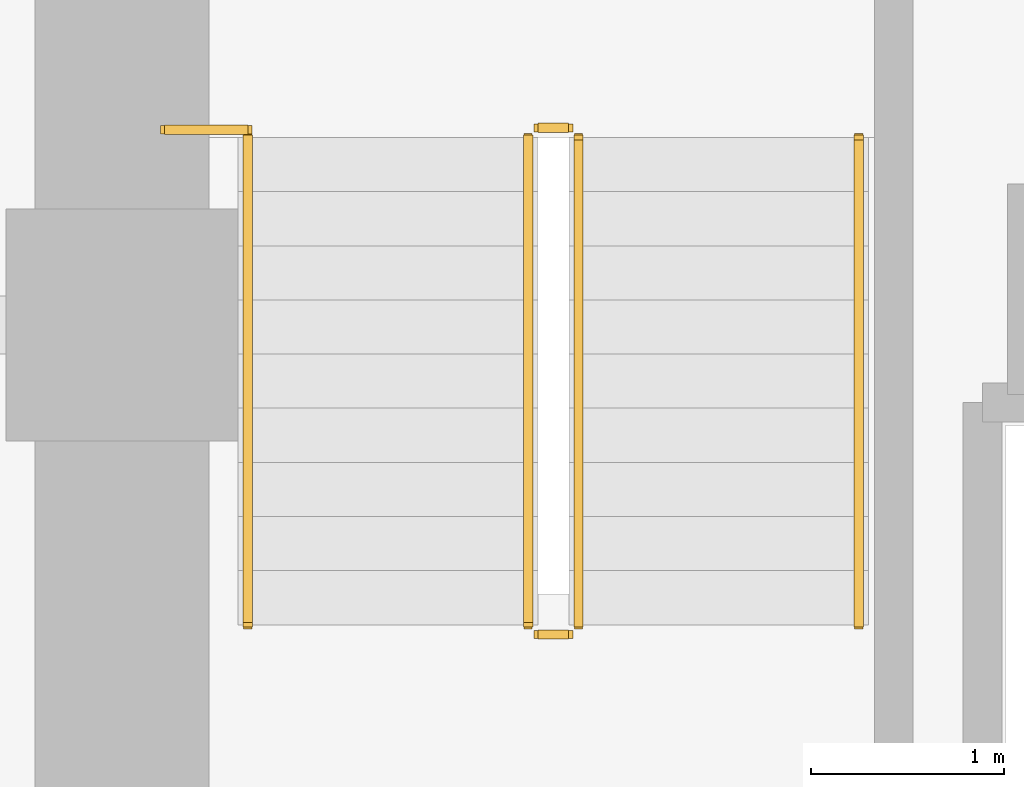
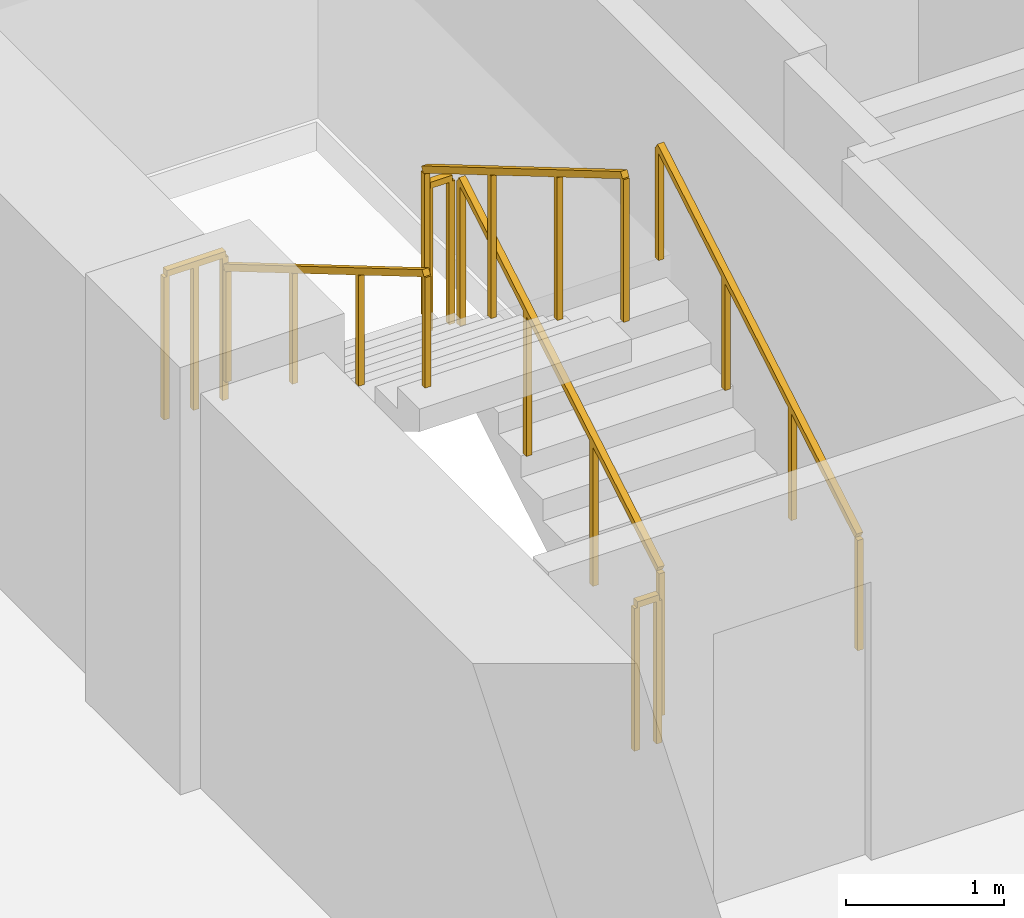
# One storey, part 24 of 27: 7 railings.
"""IFC4 building model written with IfcOpenShell, lengths in metres."""

from ifc_helpers import new_model, si_unit, direction, frame, origin, origin_2d, place, context, subcontext, project, spatial, rectangle, extrude, material, type_object, element, save


model = new_model("IFC4")

# Units and contexts
model_context = context("Model", 3, precision=1e-05, world=origin(), true_north=direction((0.0, 1.0)))
body_context = subcontext(model_context, "Body", "Model", "MODEL_VIEW")
ifc_project = project(units=[si_unit("LENGTHUNIT", "METRE"), si_unit("AREAUNIT", "SQUARE_METRE"), si_unit("VOLUMEUNIT", "CUBIC_METRE"), si_unit("PLANEANGLEUNIT", "RADIAN"), si_unit("MASSUNIT", "GRAM", prefix="KILO")], contexts=[model_context])

# Site, building, storey
site_placement = place(None, origin())
site = spatial("IfcSite", under=ifc_project, at=site_placement, CompositionType="ELEMENT")
building_placement = place(site_placement, origin())
building = spatial("IfcBuilding", under=site, at=building_placement, Name="Zarnakvel Exchange Tower", CompositionType="ELEMENT")
storey_placement = place(building_placement, frame((0.0, 0.0, 76.89990234375)))
storey = spatial("IfcBuildingStorey", under=building, at=storey_placement, Name="L21", CompositionType="ELEMENT", Elevation=76.89990234375)

# Railings
ifc_material_1 = material(Name="Brushed Stainless Steel", Category="steel")
railing_type_1 = type_object("IfcRailingType", Name="HR-01", PredefinedType="HANDRAIL", material=ifc_material_1)
railing_1_placement = place(storey_placement, frame((-10.590087890625, 5.050048828125, 0.1650390625)))
element("IfcRailing", 1, at=railing_1_placement, inside=storey, type_object=railing_type_1, Name="L21 ST-01 stair handrail 1", PredefinedType="HANDRAIL", context=body_context, shape_type="SweptSolid", body=[
    extrude(rectangle(XDim=0.048095703125, YDim=0.048095703125, at=origin_2d()), frame((0.0, 0.0, 0.8759765625), z_axis=(0.0, 0.86152411907, 0.507716645641), x_axis=(-1.0, 0.0, 0.0)), (0.0, 0.0, 1.0), 2.925048828125),
    extrude(rectangle(XDim=0.0419921875, YDim=0.0419921875, at=origin_2d()), origin(), (0.0, 0.0, 1.0), 0.851806640625),
    extrude(rectangle(XDim=0.0419921875, YDim=0.0419921875, at=origin_2d()), frame((0.0, 0.840087890625, 0.4951171875)), (0.0, 0.0, 1.0), 0.851806640625),
    extrude(rectangle(XDim=0.0419921875, YDim=0.0419921875, at=origin_2d()), frame((0.0, 1.679931640625, 0.989990234375)), (0.0, 0.0, 1.0), 0.851806640625),
    extrude(rectangle(XDim=0.0419921875, YDim=0.0419921875, at=origin_2d()), frame((0.0, 2.52001953125, 1.485107421875)), (0.0, 0.0, 1.0), 0.851806640625),
])
railing_2_placement = place(storey_placement, frame((-13.75, 7.570068359375, 1.815185546875)))
element("IfcRailing", 2, at=railing_2_placement, inside=storey, type_object=railing_type_1, Name="L21 ST-01 stair handrail 2", PredefinedType="HANDRAIL", context=body_context, shape_type="SweptSolid", body=[
    extrude(rectangle(XDim=0.048095703125, YDim=0.048095703125, at=origin_2d()), frame((0.0, 0.0, 0.8759765625), z_axis=(0.0, -0.861560626758, 0.507654692109), x_axis=(1.0, 0.0, 0.0)), (0.0, 0.0, 1.0), 2.925048828125),
    extrude(rectangle(XDim=0.0419921875, YDim=0.0419921875, at=origin_2d()), origin(), (0.0, 0.0, 1.0), 0.851806640625),
    extrude(rectangle(XDim=0.0419921875, YDim=0.0419921875, at=origin_2d()), frame((0.0, -0.840087890625, 0.494873046875)), (0.0, 0.0, 1.0), 0.851806640625),
    extrude(rectangle(XDim=0.0419921875, YDim=0.0419921875, at=origin_2d()), frame((0.0, -1.679931640625, 0.989990234375)), (0.0, 0.0, 1.0), 0.851806640625),
    extrude(rectangle(XDim=0.0419921875, YDim=0.0419921875, at=origin_2d()), frame((0.0, -2.52001953125, 1.48486328125)), (0.0, 0.0, 1.0), 0.851806640625),
])
ifc_material_2 = material(Name="Architectural Bronze Anodised Aluminium", Category="aluminium")
railing_type_2 = type_object("IfcRailingType", Name="SG-01", PredefinedType="GUARDRAIL", material=ifc_material_2)
railing_3_placement = place(storey_placement, frame((-12.0400390625, 5.050048828125, 0.1650390625)))
element("IfcRailing", 3, at=railing_3_placement, inside=storey, type_object=railing_type_2, Name="L21 ST-01 stair guard 1", PredefinedType="GUARDRAIL", context=body_context, shape_type="SweptSolid", body=[
    extrude(rectangle(XDim=0.048095703125, YDim=0.048095703125, at=origin_2d()), frame((0.0, 0.0, 1.1259765625), z_axis=(0.0, 0.86152411907, 0.507716645641), x_axis=(-1.0, 0.0, 0.0)), (0.0, 0.0, 1.0), 2.925048828125),
    extrude(rectangle(XDim=0.0419921875, YDim=0.0419921875, at=origin_2d()), origin(), (0.0, 0.0, 1.0), 1.101806640625),
    extrude(rectangle(XDim=0.0419921875, YDim=0.0419921875, at=origin_2d()), frame((0.0, 0.840087890625, 0.4951171875)), (0.0, 0.0, 1.0), 1.101806640625),
    extrude(rectangle(XDim=0.0419921875, YDim=0.0419921875, at=origin_2d()), frame((0.0, 1.679931640625, 0.989990234375)), (0.0, 0.0, 1.0), 1.101806640625),
    extrude(rectangle(XDim=0.0419921875, YDim=0.0419921875, at=origin_2d()), frame((0.0, 2.52001953125, 1.485107421875)), (0.0, 0.0, 1.0), 1.101806640625),
])
railing_4_placement = place(storey_placement, frame((-12.090087890625, 7.6201171875, 1.650146484375)))
element("IfcRailing", 4, at=railing_4_placement, inside=storey, type_object=railing_type_2, Name="L21 ST-01 stair guard 2", PredefinedType="GUARDRAIL", context=body_context, shape_type="SweptSolid", body=[
    extrude(rectangle(XDim=0.048095703125, YDim=0.048095703125, at=origin_2d()), frame((0.0, 0.0, 1.1259765625), z_axis=(-1.0, 0.0, 0.0), x_axis=(0.0, -1.0, 0.0)), (0.0, 0.0, 1.0), 0.159912109375),
    extrude(rectangle(XDim=0.0419921875, YDim=0.0419921875, at=origin_2d()), origin(), (0.0, 0.0, 1.0), 1.101806640625),
    extrude(rectangle(XDim=0.0419921875, YDim=0.0419921875, at=origin_2d()), frame((-0.159912109375, 0.0, 0.0)), (0.0, 0.0, 1.0), 1.101806640625),
])
railing_5_placement = place(storey_placement, frame((-12.300048828125, 7.570068359375, 1.815185546875)))
element("IfcRailing", 5, at=railing_5_placement, inside=storey, type_object=railing_type_2, Name="L21 ST-01 stair guard 3", PredefinedType="GUARDRAIL", context=body_context, shape_type="SweptSolid", body=[
    extrude(rectangle(XDim=0.048095703125, YDim=0.048095703125, at=origin_2d()), frame((0.0, 0.0, 1.1259765625), z_axis=(0.0, -0.861560626758, 0.507654692109), x_axis=(1.0, 0.0, 0.0)), (0.0, 0.0, 1.0), 2.925048828125),
    extrude(rectangle(XDim=0.0419921875, YDim=0.0419921875, at=origin_2d()), origin(), (0.0, 0.0, 1.0), 1.101806640625),
    extrude(rectangle(XDim=0.0419921875, YDim=0.0419921875, at=origin_2d()), frame((0.0, -0.840087890625, 0.494873046875)), (0.0, 0.0, 1.0), 1.101806640625),
    extrude(rectangle(XDim=0.0419921875, YDim=0.0419921875, at=origin_2d()), frame((0.0, -1.679931640625, 0.989990234375)), (0.0, 0.0, 1.0), 1.101806640625),
    extrude(rectangle(XDim=0.0419921875, YDim=0.0419921875, at=origin_2d()), frame((0.0, -2.52001953125, 1.48486328125)), (0.0, 0.0, 1.0), 1.101806640625),
])
railing_6_placement = place(storey_placement, frame((-12.090087890625, 5.0, 0.0)))
element("IfcRailing", 6, at=railing_6_placement, inside=storey, type_object=railing_type_2, Name="L21 ST-01 stair guard 4", PredefinedType="GUARDRAIL", context=body_context, shape_type="SweptSolid", body=[
    extrude(rectangle(XDim=0.048095703125, YDim=0.048095703125, at=origin_2d()), frame((0.0, 0.0, 1.1259765625), z_axis=(-1.0, 0.0, 0.0), x_axis=(0.0, -1.0, 0.0)), (0.0, 0.0, 1.0), 0.159912109375),
    extrude(rectangle(XDim=0.0419921875, YDim=0.0419921875, at=origin_2d()), origin(), (0.0, 0.0, 1.0), 1.101806640625),
    extrude(rectangle(XDim=0.0419921875, YDim=0.0419921875, at=origin_2d()), frame((-0.159912109375, 0.0, 0.0)), (0.0, 0.0, 1.0), 1.101806640625),
])
railing_7_placement = place(storey_placement, frame((-14.179931640625, 7.610107421875, 1.650146484375)))
element("IfcRailing", 7, at=railing_7_placement, inside=storey, type_object=railing_type_2, Name="L21 ST-01 Landing Slot Guardrail", PredefinedType="GUARDRAIL", context=body_context, shape_type="SweptSolid", body=[
    extrude(rectangle(XDim=0.048095703125, YDim=0.048095703125, at=origin_2d()), frame((0.0, 0.0, 1.1259765625), z_axis=(1.0, 0.0, 0.0), x_axis=(0.0, 1.0, 0.0)), (0.0, 0.0, 1.0), 0.429931640625),
    extrude(rectangle(XDim=0.0419921875, YDim=0.0419921875, at=origin_2d()), origin(), (0.0, 0.0, 1.0), 1.101806640625),
    extrude(rectangle(XDim=0.0419921875, YDim=0.0419921875, at=origin_2d()), frame((0.21484375, 0.0, 0.0)), (0.0, 0.0, 1.0), 1.101806640625),
    extrude(rectangle(XDim=0.0419921875, YDim=0.0419921875, at=origin_2d()), frame((0.429931640625, 0.0, 0.0)), (0.0, 0.0, 1.0), 1.101806640625),
])

save(model, "model.ifc")
